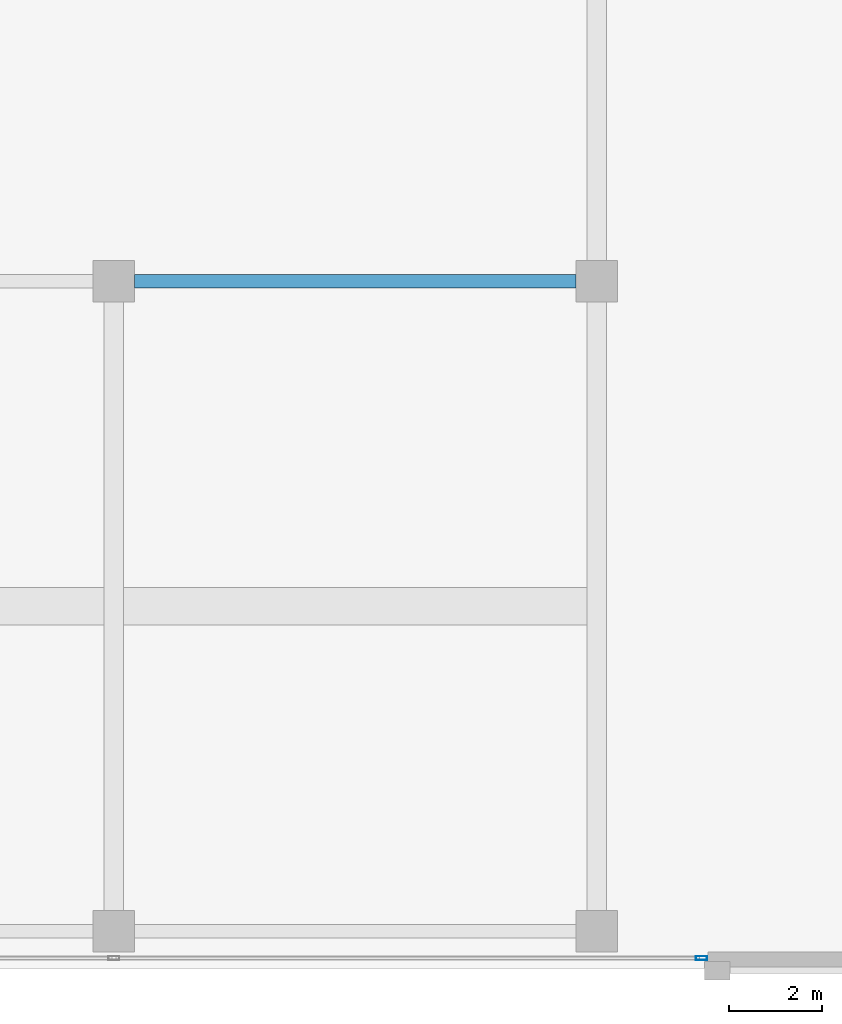
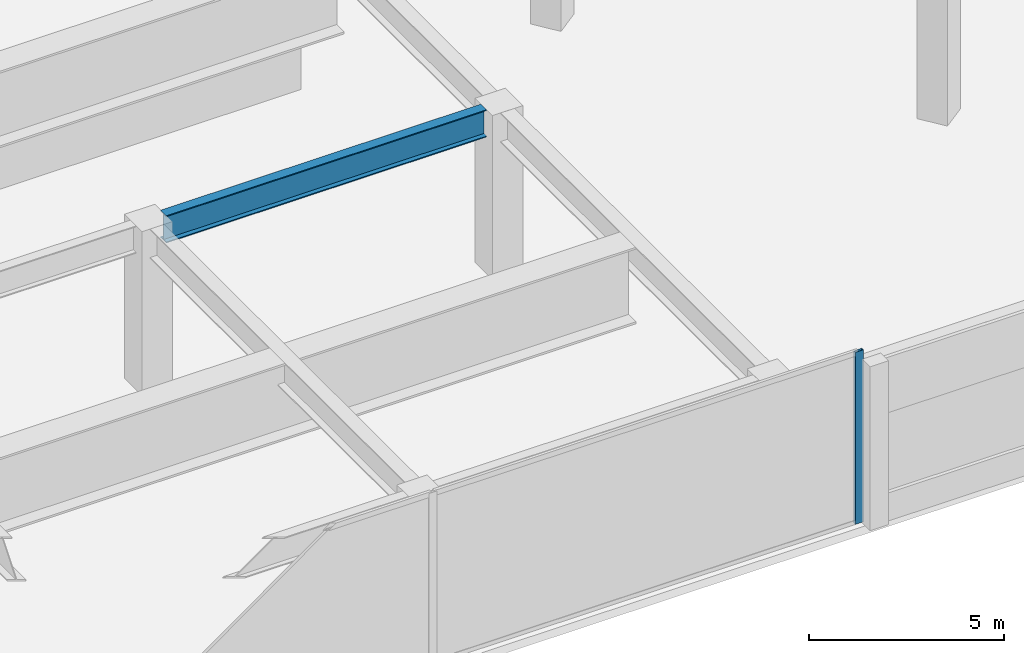
# One storey, part 16 of 48: 1 beam, 1 member, 1 element without a shape of its own.
"""IFC4 building model written with IfcOpenShell, lengths in metres."""

import ifcopenshell
import ifcopenshell.guid

model = None  # the IFC model being written
_history = None  # IfcOwnerHistory: only IFC2X3 demands one
_inside = {}  # id of a spatial element -> (the spatial element, [elements in it])
_under = {}  # id of a project, library or spatial element -> (it, [spatial elements below it])
_declared = {}  # id of a project -> (the project, [libraries it declares])
_typed = {}  # id of a type object -> (the type object, [elements of that type])
_made_of = {}  # id of a material, layer set ... -> (it, [elements and type objects made of it])


def new_model(schema):
    """Start an empty IFC model of exactly this schema.

    Asked for "IFC4X3", IfcOpenShell would pick the latest addendum, in which some entities
    have other attributes; the version numbers below select the first issue.
    IFC2X3 requires an IfcOwnerHistory on every rooted entity: one is made here for all.
    """
    global model, _history
    if schema == "IFC4X3":
        model = ifcopenshell.file(schema_version=(4, 3, 0, 0))
    else:
        model = ifcopenshell.file(schema=schema)
    _inside.clear()
    _under.clear()
    _declared.clear()
    _typed.clear()
    _made_of.clear()
    _history = None
    if model.schema == "IFC2X3":
        org = make("IfcOrganization", Name="unknown")
        user = make(
            "IfcPersonAndOrganization",
            ThePerson=make("IfcPerson", FamilyName="unknown"),
            TheOrganization=org,
        )
        app = make(
            "IfcApplication",
            ApplicationDeveloper=org,
            Version="unknown",
            ApplicationFullName="unknown",
            ApplicationIdentifier="unknown",
        )
        _history = make(
            "IfcOwnerHistory",
            OwningUser=user,
            OwningApplication=app,
            ChangeAction="ADDED",
            CreationDate=0,
        )
    return model


def make(cls, **values):
    """One entity of the class cls with the attributes given. An attribute that is None is left unset."""
    return model.create_entity(
        cls, **{name: value for name, value in values.items() if value is not None}
    )


def rooted(cls, **values):
    """An entity with a GlobalId (a new one), such as an element, a storey or a relation."""
    return make(cls, GlobalId=ifcopenshell.guid.new(), OwnerHistory=_history, **values)


def si_unit(unit_type, name, prefix=None):
    """IfcSIUnit, for example si_unit("LENGTHUNIT", "METRE", prefix="MILLI")."""
    return make("IfcSIUnit", UnitType=unit_type, Prefix=prefix, Name=name)


def assignment(units):
    """IfcUnitAssignment: the units of a project."""
    return None if units is None else make("IfcUnitAssignment", Units=units)


def point(xyz):
    """IfcCartesianPoint."""
    return None if xyz is None else make("IfcCartesianPoint", Coordinates=xyz)


def direction(xyz):
    """IfcDirection."""
    return None if xyz is None else make("IfcDirection", DirectionRatios=xyz)


def frame(location, z_axis=None, x_axis=None):
    """IfcAxis2Placement3D, a coordinate frame: its origin and axes. An axis left out is left unset."""
    return make(
        "IfcAxis2Placement3D",
        Location=point(location),
        Axis=direction(z_axis),
        RefDirection=direction(x_axis),
    )


def frame_2d(location, x_axis=None):
    """IfcAxis2Placement2D, a coordinate frame in the plane: its origin and x axis."""
    return make(
        "IfcAxis2Placement2D", Location=point(location), RefDirection=direction(x_axis)
    )


def origin():
    """The frame at (0, 0, 0) with its axes left unset."""
    return frame((0.0, 0.0, 0.0))


def origin_2d():
    """The frame at (0, 0) in the plane with its x axis left unset."""
    return frame_2d((0.0, 0.0))


def place(relative_to, where):
    """IfcLocalPlacement: puts the frame where relative to a parent placement (None: the world)."""
    return make(
        "IfcLocalPlacement", PlacementRelTo=relative_to, RelativePlacement=where
    )


def context(
    kind, dimensions, precision=None, world=None, true_north=None, identifier=None
):
    """IfcGeometricRepresentationContext, for example the 3D "Model" context."""
    return make(
        "IfcGeometricRepresentationContext",
        ContextIdentifier=identifier,
        ContextType=kind,
        CoordinateSpaceDimension=dimensions,
        Precision=precision,
        WorldCoordinateSystem=world,
        TrueNorth=true_north,
    )


def subcontext(parent, identifier, kind, view, scale=None):
    """IfcGeometricRepresentationSubContext, for example "Body" below "Model"."""
    return make(
        "IfcGeometricRepresentationSubContext",
        ContextIdentifier=identifier,
        ContextType=kind,
        ParentContext=parent,
        TargetScale=scale,
        TargetView=view,
    )


def project(units=None, contexts=None):
    """IfcProject with its units and contexts."""
    return rooted(
        "IfcProject",
        Name="project",
        RepresentationContexts=contexts,
        UnitsInContext=assignment(units),
    )


def spatial(cls, under=None, at=None, **own):
    """A site, building, storey or space (cls), placed at a placement, below another one or the project."""
    s = rooted(cls, ObjectPlacement=at, **own)
    if under is not None:
        _under.setdefault(under.id(), (under, []))[1].append(s)
    return s


def profile(cls, at=None, kind="AREA", **sizes):
    """A parametric profile (cls). Its sizes go by their IFC names, for example OverallWidth=200.0."""
    return make(cls, ProfileType=kind, Position=at, **sizes)


def hollow_rectangle(**sizes):
    """IfcRectangleHollowProfileDef."""
    return profile("IfcRectangleHollowProfileDef", **sizes)


def i_section(**sizes):
    """IfcIShapeProfileDef."""
    return profile("IfcIShapeProfileDef", **sizes)


def extrude(swept, where, along, depth):
    """IfcExtrudedAreaSolid: the profile swept, set in the frame where, extruded along a direction by depth."""
    return make(
        "IfcExtrudedAreaSolid",
        SweptArea=swept,
        Position=where,
        ExtrudedDirection=direction(along),
        Depth=depth,
    )


def shape(context_of_items, identifier, shape_type, items):
    """IfcShapeRepresentation: the items that make up one representation, for example the "Body"."""
    return make(
        "IfcShapeRepresentation",
        ContextOfItems=context_of_items,
        RepresentationIdentifier=identifier,
        RepresentationType=shape_type,
        Items=items,
    )


def material(Name=None, Category=None):
    """IfcMaterial."""
    return make("IfcMaterial", Name=Name, Category=Category)


def material_profile(
    of_material, cross_section, Name=None, Category=None, Priority=None
):
    """IfcMaterialProfile: a cross section and its material."""
    return make(
        "IfcMaterialProfile",
        Name=Name,
        Material=of_material,
        Profile=cross_section,
        Priority=Priority,
        Category=Category,
    )


def profile_set(profiles, Name=None, composite=None):
    """IfcMaterialProfileSet."""
    return make(
        "IfcMaterialProfileSet",
        Name=Name,
        MaterialProfiles=profiles,
        CompositeProfile=composite,
    )


def made_of(thing, what):
    """Note that an element or type object is made of a material, layer set ...; save() writes the relation."""
    if what is not None:
        _made_of.setdefault(what.id(), (what, []))[1].append(thing)
    return thing


def type_object(cls, material=None, **own):
    """A type object (cls), such as IfcWallType, which elements share."""
    return made_of(rooted(cls, **own), material)


def element(
    cls,
    number,
    at=None,
    inside=None,
    cuts=None,
    type_object=None,
    material=None,
    context=None,
    identifier="Body",
    shape_type=None,
    held_by="IfcProductDefinitionShape",
    body=None,
    shapes=None,
    **own,
):
    """One element of the class cls, such as IfcWall. Its Tag is "e" and its number.

    at: its placement. inside: the storey or other place that contains it. cuts: it is an
    opening in that element (IfcRelVoidsElement). A single representation is given by context,
    identifier, shape_type and body (its items); several are given by shapes. held_by: the class
    of the entity that holds the representations. save() writes the other relations.
    """
    e = rooted(cls, Tag="e%d" % number, ObjectPlacement=at, **own)
    if body is not None:
        shapes = [shape(context, identifier, shape_type, body)]
    if shapes is not None:
        e.Representation = make(held_by, Representations=shapes)
    if inside is not None:
        _inside.setdefault(inside.id(), (inside, []))[1].append(e)
    if cuts is not None:
        rooted(
            "IfcRelVoidsElement", RelatingBuildingElement=cuts, RelatedOpeningElement=e
        )
    if type_object is not None:
        _typed.setdefault(type_object.id(), (type_object, []))[1].append(e)
    return made_of(e, material)


def aggregate(whole, parts):
    """IfcRelAggregates: a whole, such as a stair, and the parts it consists of."""
    return rooted("IfcRelAggregates", RelatingObject=whole, RelatedObjects=parts)


def save(model, path):
    """Write the relations noted so far, then the file.

    IfcRelAggregates (storeys below a building ...), IfcRelContainedInSpatialStructure (elements
    in a storey), IfcRelDefinesByType, IfcRelAssociatesMaterial and IfcRelDeclares: one each for
    every whole, place, type object, material and project.
    """
    for whole, parts in _under.values():
        aggregate(whole, parts)
    for where, things in _inside.values():
        rooted(
            "IfcRelContainedInSpatialStructure",
            RelatedElements=things,
            RelatingStructure=where,
        )
    for kind, things in _typed.values():
        rooted("IfcRelDefinesByType", RelatedObjects=things, RelatingType=kind)
    for what, things in _made_of.values():
        rooted("IfcRelAssociatesMaterial", RelatedObjects=things, RelatingMaterial=what)
    for by, libraries in _declared.values():
        rooted("IfcRelDeclares", RelatingContext=by, RelatedDefinitions=libraries)
    model.write(path)


model = new_model("IFC4")

# Units and contexts
model_context = context("Model", 3, precision=1e-05, world=origin(), true_north=direction((0.0, 1.0)))
body_context = subcontext(model_context, "Body", "Model", "MODEL_VIEW")
ifc_project = project(units=[si_unit("LENGTHUNIT", "METRE"), si_unit("AREAUNIT", "SQUARE_METRE"), si_unit("VOLUMEUNIT", "CUBIC_METRE"), si_unit("PLANEANGLEUNIT", "RADIAN"), si_unit("MASSUNIT", "GRAM", prefix="KILO")], contexts=[model_context])

# Site, building, storey
site_placement = place(None, origin())
site = spatial("IfcSite", under=ifc_project, at=site_placement, CompositionType="ELEMENT")
building_placement = place(site_placement, origin())
building = spatial("IfcBuilding", under=site, at=building_placement, Name="Tashvorn Skyway Center", CompositionType="ELEMENT")
storey_placement = place(building_placement, frame((0.0, 0.0, 10.199951171875)))
storey = spatial("IfcBuildingStorey", under=building, at=storey_placement, Name="L02", CompositionType="ELEMENT", Elevation=10.199951171875)

# Beam
ifc_material_1 = material(Name="Steel ASTM A992 Grade 50", Category="steel")
ifc_material_profile_1 = material_profile(ifc_material_1, i_section(OverallWidth=0.2919921875, OverallDepth=0.85888671875, WebThickness=0.01708984375, FlangeThickness=0.031005859375, at=origin_2d()), Name="W33X169")
ifc_profile_set_1 = profile_set([ifc_material_profile_1], Name="Steel ASTM A992 Grade 50")
beam_type = type_object("IfcBeamType", Name="BM-BEAM-W33X169", PredefinedType="BEAM", material=ifc_profile_set_1)
beam_placement = place(storey_placement, frame((77.2451171875, 14.800048828125, 4.71044921875), z_axis=(1.0, 0.0, 0.0), x_axis=(0.0, 1.0, 0.0)))
element("IfcBeam", 1, at=beam_placement, inside=storey, type_object=beam_type, Name="L02 Central Podium Girder B 03", PredefinedType="BEAM", context=body_context, shape_type="SweptSolid", body=[
    extrude(i_section(OverallWidth=0.2919921875, OverallDepth=0.85888671875, WebThickness=0.01708984375, FlangeThickness=0.031005859375, at=origin_2d()), origin(), (0.0, 0.0, 1.0), 9.509765625),
])

# Curtain wall, member
ifc_material_2 = material(Name="Thermally broken bronze-anodized aluminium 6063-T6", Category="aluminium")
curtain_wall_type = type_object("IfcCurtainWallType", Name="CW-CW-Z1", PredefinedType="NOTDEFINED", material=ifc_material_2)
curtain_wall_placement = place(storey_placement, origin())
curtain_wall = element("IfcCurtainWall", 2, at=curtain_wall_placement, inside=storey, type_object=curtain_wall_type, Name="L02 South Station Arcade Curtain Wall 2", PredefinedType="NOTDEFINED")
ifc_material_profile_2 = material_profile(ifc_material_2, hollow_rectangle(XDim=0.0849609375, YDim=0.239990234375, WallThickness=0.0048828125, at=origin_2d()), Name="ALU-MULL-85x240")
ifc_profile_set_2 = profile_set([ifc_material_profile_2], Name="Thermally broken bronze-anodized aluminium 6063-T6")
member_type = type_object("IfcMemberType", Name="CWM-CW-Z1", PredefinedType="MULLION", material=ifc_profile_set_2)
member_placement = place(storey_placement, frame((89.45751953125, 0.219970703125, 0.0), z_axis=(0.0, 0.0, 1.0), x_axis=(0.0, -1.0, 0.0)))
member = element("IfcMember", 3, at=member_placement, type_object=member_type, Name="CW-Z1 mullion 1", PredefinedType="MULLION", context=body_context, shape_type="SweptSolid", body=[
    extrude(hollow_rectangle(XDim=0.0849609375, YDim=0.239990234375, WallThickness=0.0048828125, at=origin_2d()), origin(), (0.0, 0.0, 1.0), 5.400146484375),
])
aggregate(curtain_wall, [member])

save(model, "model.ifc")
